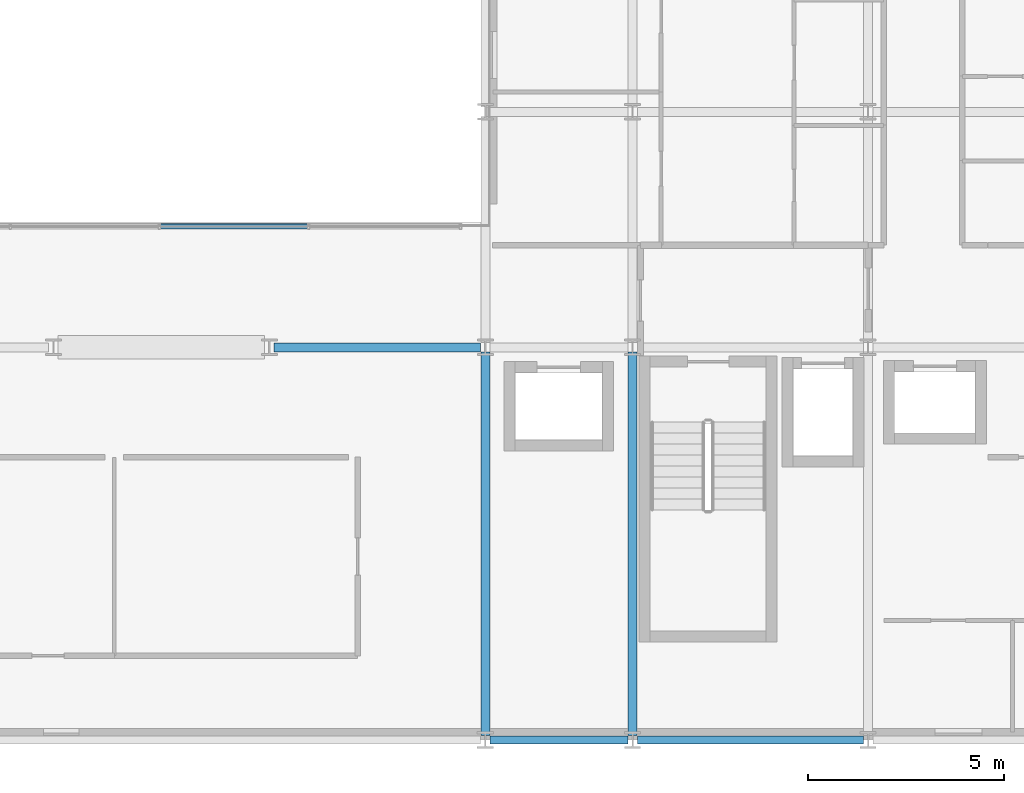
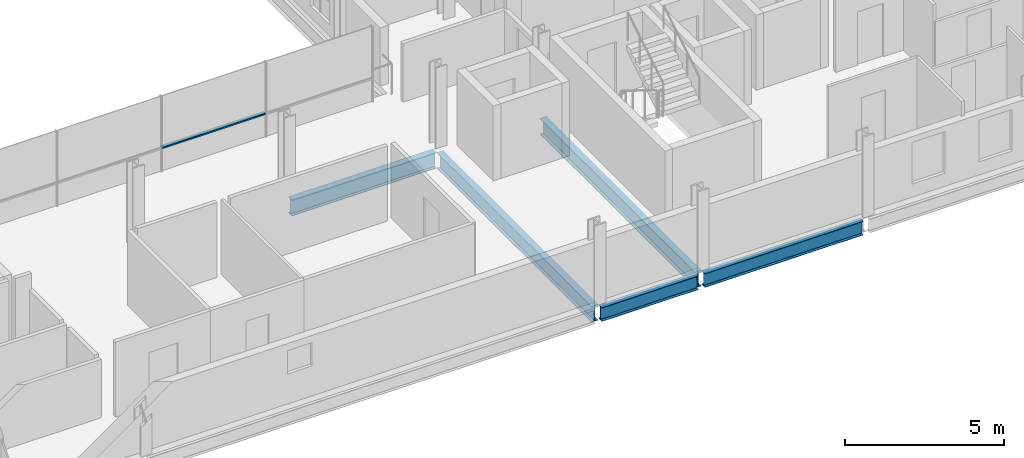
# One storey, part 12 of 39: 5 beams, 1 member, 1 element without a shape of its own.
"""IFC4 building model written with IfcOpenShell, lengths in metres."""

import ifcopenshell
import ifcopenshell.guid

model = None  # the IFC model being written
_history = None  # IfcOwnerHistory: only IFC2X3 demands one
_inside = {}  # id of a spatial element -> (the spatial element, [elements in it])
_under = {}  # id of a project, library or spatial element -> (it, [spatial elements below it])
_declared = {}  # id of a project -> (the project, [libraries it declares])
_typed = {}  # id of a type object -> (the type object, [elements of that type])
_made_of = {}  # id of a material, layer set ... -> (it, [elements and type objects made of it])


def new_model(schema):
    """Start an empty IFC model of exactly this schema.

    Asked for "IFC4X3", IfcOpenShell would pick the latest addendum, in which some entities
    have other attributes; the version numbers below select the first issue.
    IFC2X3 requires an IfcOwnerHistory on every rooted entity: one is made here for all.
    """
    global model, _history
    if schema == "IFC4X3":
        model = ifcopenshell.file(schema_version=(4, 3, 0, 0))
    else:
        model = ifcopenshell.file(schema=schema)
    _inside.clear()
    _under.clear()
    _declared.clear()
    _typed.clear()
    _made_of.clear()
    _history = None
    if model.schema == "IFC2X3":
        org = make("IfcOrganization", Name="unknown")
        user = make(
            "IfcPersonAndOrganization",
            ThePerson=make("IfcPerson", FamilyName="unknown"),
            TheOrganization=org,
        )
        app = make(
            "IfcApplication",
            ApplicationDeveloper=org,
            Version="unknown",
            ApplicationFullName="unknown",
            ApplicationIdentifier="unknown",
        )
        _history = make(
            "IfcOwnerHistory",
            OwningUser=user,
            OwningApplication=app,
            ChangeAction="ADDED",
            CreationDate=0,
        )
    return model


def make(cls, **values):
    """One entity of the class cls with the attributes given. An attribute that is None is left unset."""
    return model.create_entity(
        cls, **{name: value for name, value in values.items() if value is not None}
    )


def rooted(cls, **values):
    """An entity with a GlobalId (a new one), such as an element, a storey or a relation."""
    return make(cls, GlobalId=ifcopenshell.guid.new(), OwnerHistory=_history, **values)


def si_unit(unit_type, name, prefix=None):
    """IfcSIUnit, for example si_unit("LENGTHUNIT", "METRE", prefix="MILLI")."""
    return make("IfcSIUnit", UnitType=unit_type, Prefix=prefix, Name=name)


def assignment(units):
    """IfcUnitAssignment: the units of a project."""
    return None if units is None else make("IfcUnitAssignment", Units=units)


def point(xyz):
    """IfcCartesianPoint."""
    return None if xyz is None else make("IfcCartesianPoint", Coordinates=xyz)


def direction(xyz):
    """IfcDirection."""
    return None if xyz is None else make("IfcDirection", DirectionRatios=xyz)


def frame(location, z_axis=None, x_axis=None):
    """IfcAxis2Placement3D, a coordinate frame: its origin and axes. An axis left out is left unset."""
    return make(
        "IfcAxis2Placement3D",
        Location=point(location),
        Axis=direction(z_axis),
        RefDirection=direction(x_axis),
    )


def frame_2d(location, x_axis=None):
    """IfcAxis2Placement2D, a coordinate frame in the plane: its origin and x axis."""
    return make(
        "IfcAxis2Placement2D", Location=point(location), RefDirection=direction(x_axis)
    )


def origin():
    """The frame at (0, 0, 0) with its axes left unset."""
    return frame((0.0, 0.0, 0.0))


def origin_2d():
    """The frame at (0, 0) in the plane with its x axis left unset."""
    return frame_2d((0.0, 0.0))


def place(relative_to, where):
    """IfcLocalPlacement: puts the frame where relative to a parent placement (None: the world)."""
    return make(
        "IfcLocalPlacement", PlacementRelTo=relative_to, RelativePlacement=where
    )


def context(
    kind, dimensions, precision=None, world=None, true_north=None, identifier=None
):
    """IfcGeometricRepresentationContext, for example the 3D "Model" context."""
    return make(
        "IfcGeometricRepresentationContext",
        ContextIdentifier=identifier,
        ContextType=kind,
        CoordinateSpaceDimension=dimensions,
        Precision=precision,
        WorldCoordinateSystem=world,
        TrueNorth=true_north,
    )


def subcontext(parent, identifier, kind, view, scale=None):
    """IfcGeometricRepresentationSubContext, for example "Body" below "Model"."""
    return make(
        "IfcGeometricRepresentationSubContext",
        ContextIdentifier=identifier,
        ContextType=kind,
        ParentContext=parent,
        TargetScale=scale,
        TargetView=view,
    )


def project(units=None, contexts=None):
    """IfcProject with its units and contexts."""
    return rooted(
        "IfcProject",
        Name="project",
        RepresentationContexts=contexts,
        UnitsInContext=assignment(units),
    )


def spatial(cls, under=None, at=None, **own):
    """A site, building, storey or space (cls), placed at a placement, below another one or the project."""
    s = rooted(cls, ObjectPlacement=at, **own)
    if under is not None:
        _under.setdefault(under.id(), (under, []))[1].append(s)
    return s


def profile(cls, at=None, kind="AREA", **sizes):
    """A parametric profile (cls). Its sizes go by their IFC names, for example OverallWidth=200.0."""
    return make(cls, ProfileType=kind, Position=at, **sizes)


def hollow_rectangle(**sizes):
    """IfcRectangleHollowProfileDef."""
    return profile("IfcRectangleHollowProfileDef", **sizes)


def i_section(**sizes):
    """IfcIShapeProfileDef."""
    return profile("IfcIShapeProfileDef", **sizes)


def extrude(swept, where, along, depth):
    """IfcExtrudedAreaSolid: the profile swept, set in the frame where, extruded along a direction by depth."""
    return make(
        "IfcExtrudedAreaSolid",
        SweptArea=swept,
        Position=where,
        ExtrudedDirection=direction(along),
        Depth=depth,
    )


def shape(context_of_items, identifier, shape_type, items):
    """IfcShapeRepresentation: the items that make up one representation, for example the "Body"."""
    return make(
        "IfcShapeRepresentation",
        ContextOfItems=context_of_items,
        RepresentationIdentifier=identifier,
        RepresentationType=shape_type,
        Items=items,
    )


def material(Name=None, Category=None):
    """IfcMaterial."""
    return make("IfcMaterial", Name=Name, Category=Category)


def layer(
    of_material, thickness, ventilated=None, Name=None, Category=None, Priority=None
):
    """IfcMaterialLayer: one layer of a wall or slab, of a material (None: an air gap)."""
    return make(
        "IfcMaterialLayer",
        Material=of_material,
        LayerThickness=thickness,
        IsVentilated=ventilated,
        Name=Name,
        Category=Category,
        Priority=Priority,
    )


def layer_set(layers, Name=None):
    """IfcMaterialLayerSet."""
    return make("IfcMaterialLayerSet", MaterialLayers=layers, LayerSetName=Name)


def material_profile(
    of_material, cross_section, Name=None, Category=None, Priority=None
):
    """IfcMaterialProfile: a cross section and its material."""
    return make(
        "IfcMaterialProfile",
        Name=Name,
        Material=of_material,
        Profile=cross_section,
        Priority=Priority,
        Category=Category,
    )


def profile_set(profiles, Name=None, composite=None):
    """IfcMaterialProfileSet."""
    return make(
        "IfcMaterialProfileSet",
        Name=Name,
        MaterialProfiles=profiles,
        CompositeProfile=composite,
    )


def made_of(thing, what):
    """Note that an element or type object is made of a material, layer set ...; save() writes the relation."""
    if what is not None:
        _made_of.setdefault(what.id(), (what, []))[1].append(thing)
    return thing


def type_object(cls, material=None, **own):
    """A type object (cls), such as IfcWallType, which elements share."""
    return made_of(rooted(cls, **own), material)


def element(
    cls,
    number,
    at=None,
    inside=None,
    cuts=None,
    type_object=None,
    material=None,
    context=None,
    identifier="Body",
    shape_type=None,
    held_by="IfcProductDefinitionShape",
    body=None,
    shapes=None,
    **own,
):
    """One element of the class cls, such as IfcWall. Its Tag is "e" and its number.

    at: its placement. inside: the storey or other place that contains it. cuts: it is an
    opening in that element (IfcRelVoidsElement). A single representation is given by context,
    identifier, shape_type and body (its items); several are given by shapes. held_by: the class
    of the entity that holds the representations. save() writes the other relations.
    """
    e = rooted(cls, Tag="e%d" % number, ObjectPlacement=at, **own)
    if body is not None:
        shapes = [shape(context, identifier, shape_type, body)]
    if shapes is not None:
        e.Representation = make(held_by, Representations=shapes)
    if inside is not None:
        _inside.setdefault(inside.id(), (inside, []))[1].append(e)
    if cuts is not None:
        rooted(
            "IfcRelVoidsElement", RelatingBuildingElement=cuts, RelatedOpeningElement=e
        )
    if type_object is not None:
        _typed.setdefault(type_object.id(), (type_object, []))[1].append(e)
    return made_of(e, material)


def aggregate(whole, parts):
    """IfcRelAggregates: a whole, such as a stair, and the parts it consists of."""
    return rooted("IfcRelAggregates", RelatingObject=whole, RelatedObjects=parts)


def save(model, path):
    """Write the relations noted so far, then the file.

    IfcRelAggregates (storeys below a building ...), IfcRelContainedInSpatialStructure (elements
    in a storey), IfcRelDefinesByType, IfcRelAssociatesMaterial and IfcRelDeclares: one each for
    every whole, place, type object, material and project.
    """
    for whole, parts in _under.values():
        aggregate(whole, parts)
    for where, things in _inside.values():
        rooted(
            "IfcRelContainedInSpatialStructure",
            RelatedElements=things,
            RelatingStructure=where,
        )
    for kind, things in _typed.values():
        rooted("IfcRelDefinesByType", RelatedObjects=things, RelatingType=kind)
    for what, things in _made_of.values():
        rooted("IfcRelAssociatesMaterial", RelatedObjects=things, RelatingMaterial=what)
    for by, libraries in _declared.values():
        rooted("IfcRelDeclares", RelatingContext=by, RelatedDefinitions=libraries)
    model.write(path)


model = new_model("IFC4")

# Units and contexts
model_context = context("Model", 3, precision=1e-05, world=origin(), true_north=direction((0.0, 1.0)))
body_context = subcontext(model_context, "Body", "Model", "MODEL_VIEW")
ifc_project = project(units=[si_unit("LENGTHUNIT", "METRE"), si_unit("AREAUNIT", "SQUARE_METRE"), si_unit("VOLUMEUNIT", "CUBIC_METRE"), si_unit("PLANEANGLEUNIT", "RADIAN"), si_unit("MASSUNIT", "GRAM", prefix="KILO")], contexts=[model_context])

# Site, building, storey
site_placement = place(None, origin())
site = spatial("IfcSite", under=ifc_project, at=site_placement, CompositionType="ELEMENT")
building_placement = place(site_placement, origin())
building = spatial("IfcBuilding", under=site, at=building_placement, Name="Brevholm Reach", CompositionType="ELEMENT")
storey_placement = place(building_placement, frame((0.0, 0.0, 109.699951171875)))
storey = spatial("IfcBuildingStorey", under=building, at=storey_placement, Name="L32", CompositionType="ELEMENT", Elevation=109.699951171875)

# Beams
ifc_material_1 = material(Name="Structural Steel S355J2", Category="steel")
ifc_material_profile_1 = material_profile(ifc_material_1, i_section(OverallWidth=0.209228515625, OverallDepth=0.533203125, WebThickness=0.010009765625, FlangeThickness=0.015625, FilletRadius=0.0126953125, at=origin_2d()), Name="UKB 533x210x92")
ifc_profile_set_1 = profile_set([ifc_material_profile_1], Name="Structural Steel S355J2")
beam_type_1 = type_object("IfcBeamType", Name="BM-SP533", PredefinedType="SPANDREL", material=ifc_profile_set_1)
beam_1_placement = place(storey_placement, frame((38.3701171875, 0.0, -0.486572265625), z_axis=(1.0, 0.0, 0.0), x_axis=(0.0, 1.0, 0.0)))
element("IfcBeam", 1, at=beam_1_placement, inside=storey, type_object=beam_type_1, Name="L32 SP-02 Framing Beam", PredefinedType="SPANDREL", context=body_context, shape_type="SweptSolid", body=[
    extrude(i_section(OverallWidth=0.209228515625, OverallDepth=0.533203125, WebThickness=0.010009765625, FlangeThickness=0.015625, FilletRadius=0.0126953125, at=origin_2d()), origin(), (0.0, 0.0, 1.0), 3.509765625),
])
beam_2_placement = place(storey_placement, frame((42.1201171875, 0.0, -0.486572265625), z_axis=(1.0, 0.0, 0.0), x_axis=(0.0, 1.0, 0.0)))
element("IfcBeam", 2, at=beam_2_placement, inside=storey, type_object=beam_type_1, Name="L32 SP-02 Framing Beam", PredefinedType="SPANDREL", context=body_context, shape_type="SweptSolid", body=[
    extrude(i_section(OverallWidth=0.209228515625, OverallDepth=0.533203125, WebThickness=0.010009765625, FlangeThickness=0.015625, FilletRadius=0.0126953125, at=origin_2d()), origin(), (0.0, 0.0, 1.0), 5.759765625),
])
ifc_material_2 = material(Name="Structural Steel S355J2", Category="steel")
ifc_material_profile_2 = material_profile(ifc_material_2, i_section(OverallWidth=0.22900390625, OverallDepth=0.6123046875, WebThickness=0.011962890625, FlangeThickness=0.01953125, FilletRadius=0.0126953125, at=origin_2d()), Name="UKB 610x229x125")
ifc_profile_set_2 = profile_set([ifc_material_profile_2], Name="Structural Steel S355J2")
beam_type_2 = type_object("IfcBeamType", Name="BM-SP610", PredefinedType="SPANDREL", material=ifc_profile_set_2)
beam_3_placement = place(storey_placement, frame((32.8701171875, 10.0, -0.526123046875), z_axis=(1.0, 0.0, 0.0), x_axis=(0.0, 1.0, 0.0)))
element("IfcBeam", 3, at=beam_3_placement, inside=storey, type_object=beam_type_2, Name="L32 SP-01 Framing Beam", PredefinedType="SPANDREL", context=body_context, shape_type="SweptSolid", body=[
    extrude(i_section(OverallWidth=0.22900390625, OverallDepth=0.6123046875, WebThickness=0.011962890625, FlangeThickness=0.01953125, FilletRadius=0.0126953125, at=origin_2d()), origin(), (0.0, 0.0, 1.0), 5.259765625),
])
for number, where, z_axis, x_axis, name in (
    (4, (38.25, 0.1201171875, -0.526123046875), (0.0, 1.0, 0.0), (-1.0, 0.0, 0.0), "L32 SP-01 Framing Beam"),
    (5, (42.0, 0.1201171875, -0.526123046875), (0.0, 1.0, 0.0), (-1.0, 0.0, 0.0), "L32 SP-01 Framing Beam"),
):
    element("IfcBeam", number, at=place(storey_placement, frame(where, z_axis=z_axis, x_axis=x_axis)), inside=storey, type_object=beam_type_2, Name=name, PredefinedType="SPANDREL", context=body_context, shape_type="SweptSolid", body=[
        extrude(i_section(OverallWidth=0.22900390625, OverallDepth=0.6123046875, WebThickness=0.011962890625, FlangeThickness=0.01953125, FilletRadius=0.0126953125, at=origin_2d()), origin(), (0.0, 0.0, 1.0), 9.759765625),
    ])

# Curtain wall, member
ifc_material_3 = material(Name="Dark Anodised Aluminium 6063-T6 and Solar-Control Glass", Category="aluminium")
ifc_layer = layer(ifc_material_3, 0.139892578125)
ifc_layer_set = layer_set([ifc_layer], Name="Dark Anodised Aluminium 6063-T6 and Solar-Control Glass")
curtain_wall_type = type_object("IfcCurtainWallType", Name="CW-02", PredefinedType="NOTDEFINED", material=ifc_layer_set)
curtain_wall_placement = place(storey_placement, origin())
curtain_wall = element("IfcCurtainWall", 6, at=curtain_wall_placement, inside=storey, type_object=curtain_wall_type, Name="L32 Curtain Wall CW-02", PredefinedType="NOTDEFINED")
ifc_material_4 = material(Name="Dark Anodised Aluminium 6063-T6", Category="aluminium")
ifc_material_profile_3 = material_profile(ifc_material_4, hollow_rectangle(XDim=0.06005859375, YDim=0.139892578125, WallThickness=0.0048828125, InnerFilletRadius=0.0048828125, OuterFilletRadius=0.010009765625, at=origin_2d()), Name="RHS 140x60x5")
ifc_profile_set_3 = profile_set([ifc_material_profile_3], Name="Dark Anodised Aluminium 6063-T6")
member_type = type_object("IfcMemberType", Name="CWT-140", PredefinedType="NOTDEFINED", material=ifc_profile_set_3)
member_placement = place(storey_placement, frame((29.97998046875, 13.080078125, 0.900146484375), z_axis=(1.0, 0.0, 0.0), x_axis=(0.0, 0.0, 1.0)))
member = element("IfcMember", 7, at=member_placement, type_object=member_type, Name="CT-140 Transom 3.1", ObjectType="TRANSOM", PredefinedType="USERDEFINED", context=body_context, shape_type="SweptSolid", body=[
    extrude(hollow_rectangle(XDim=0.06005859375, YDim=0.139892578125, WallThickness=0.0048828125, InnerFilletRadius=0.0048828125, OuterFilletRadius=0.010009765625, at=origin_2d()), origin(), (0.0, 0.0, 1.0), 3.739990234375),
])
aggregate(curtain_wall, [member])

save(model, "model.ifc")
